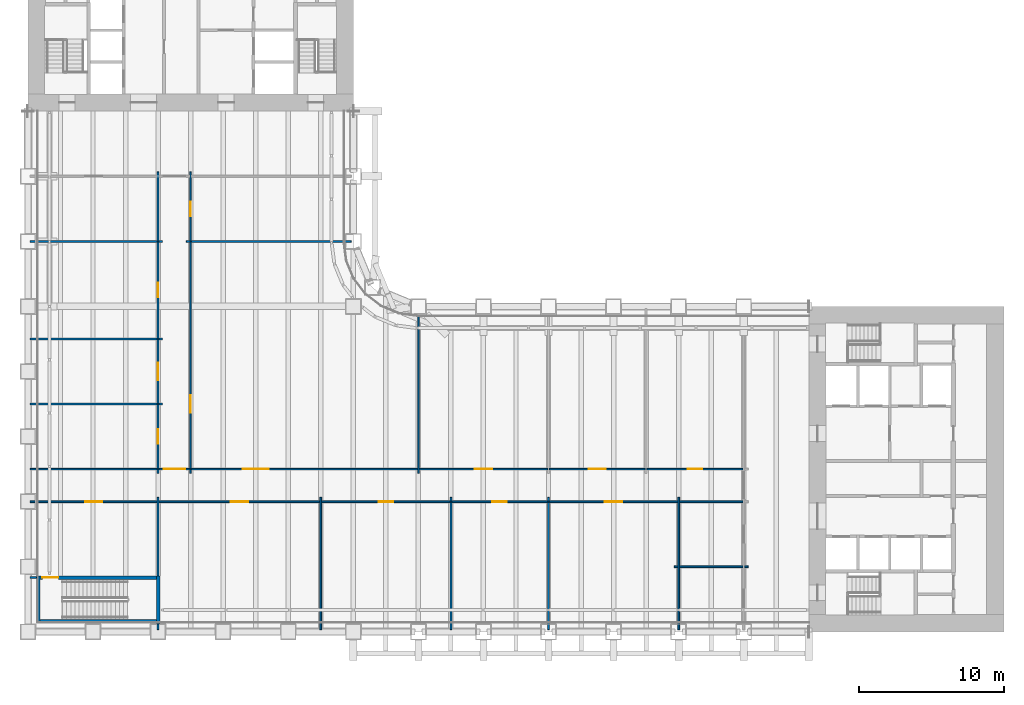
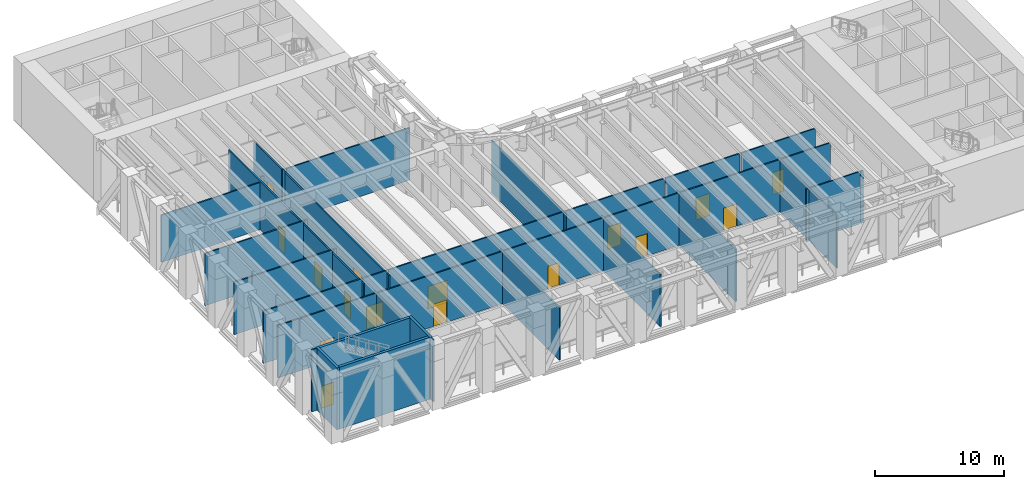
# One storey, part 7 of 19: 37 walls, 16 doors, 16 openings.
"""IFC4 building model written with IfcOpenShell, lengths in metres."""

import ifcopenshell
import ifcopenshell.guid

model = None  # the IFC model being written
_history = None  # IfcOwnerHistory: only IFC2X3 demands one
_inside = {}  # id of a spatial element -> (the spatial element, [elements in it])
_under = {}  # id of a project, library or spatial element -> (it, [spatial elements below it])
_declared = {}  # id of a project -> (the project, [libraries it declares])
_typed = {}  # id of a type object -> (the type object, [elements of that type])
_made_of = {}  # id of a material, layer set ... -> (it, [elements and type objects made of it])


def new_model(schema):
    """Start an empty IFC model of exactly this schema.

    Asked for "IFC4X3", IfcOpenShell would pick the latest addendum, in which some entities
    have other attributes; the version numbers below select the first issue.
    IFC2X3 requires an IfcOwnerHistory on every rooted entity: one is made here for all.
    """
    global model, _history
    if schema == "IFC4X3":
        model = ifcopenshell.file(schema_version=(4, 3, 0, 0))
    else:
        model = ifcopenshell.file(schema=schema)
    _inside.clear()
    _under.clear()
    _declared.clear()
    _typed.clear()
    _made_of.clear()
    _history = None
    if model.schema == "IFC2X3":
        org = make("IfcOrganization", Name="unknown")
        user = make(
            "IfcPersonAndOrganization",
            ThePerson=make("IfcPerson", FamilyName="unknown"),
            TheOrganization=org,
        )
        app = make(
            "IfcApplication",
            ApplicationDeveloper=org,
            Version="unknown",
            ApplicationFullName="unknown",
            ApplicationIdentifier="unknown",
        )
        _history = make(
            "IfcOwnerHistory",
            OwningUser=user,
            OwningApplication=app,
            ChangeAction="ADDED",
            CreationDate=0,
        )
    return model


def make(cls, **values):
    """One entity of the class cls with the attributes given. An attribute that is None is left unset."""
    return model.create_entity(
        cls, **{name: value for name, value in values.items() if value is not None}
    )


def rooted(cls, **values):
    """An entity with a GlobalId (a new one), such as an element, a storey or a relation."""
    return make(cls, GlobalId=ifcopenshell.guid.new(), OwnerHistory=_history, **values)


def si_unit(unit_type, name, prefix=None):
    """IfcSIUnit, for example si_unit("LENGTHUNIT", "METRE", prefix="MILLI")."""
    return make("IfcSIUnit", UnitType=unit_type, Prefix=prefix, Name=name)


def assignment(units):
    """IfcUnitAssignment: the units of a project."""
    return None if units is None else make("IfcUnitAssignment", Units=units)


def point(xyz):
    """IfcCartesianPoint."""
    return None if xyz is None else make("IfcCartesianPoint", Coordinates=xyz)


def direction(xyz):
    """IfcDirection."""
    return None if xyz is None else make("IfcDirection", DirectionRatios=xyz)


def frame(location, z_axis=None, x_axis=None):
    """IfcAxis2Placement3D, a coordinate frame: its origin and axes. An axis left out is left unset."""
    return make(
        "IfcAxis2Placement3D",
        Location=point(location),
        Axis=direction(z_axis),
        RefDirection=direction(x_axis),
    )


def frame_2d(location, x_axis=None):
    """IfcAxis2Placement2D, a coordinate frame in the plane: its origin and x axis."""
    return make(
        "IfcAxis2Placement2D", Location=point(location), RefDirection=direction(x_axis)
    )


def origin():
    """The frame at (0, 0, 0) with its axes left unset."""
    return frame((0.0, 0.0, 0.0))


def place(relative_to, where):
    """IfcLocalPlacement: puts the frame where relative to a parent placement (None: the world)."""
    return make(
        "IfcLocalPlacement", PlacementRelTo=relative_to, RelativePlacement=where
    )


def context(
    kind, dimensions, precision=None, world=None, true_north=None, identifier=None
):
    """IfcGeometricRepresentationContext, for example the 3D "Model" context."""
    return make(
        "IfcGeometricRepresentationContext",
        ContextIdentifier=identifier,
        ContextType=kind,
        CoordinateSpaceDimension=dimensions,
        Precision=precision,
        WorldCoordinateSystem=world,
        TrueNorth=true_north,
    )


def subcontext(parent, identifier, kind, view, scale=None):
    """IfcGeometricRepresentationSubContext, for example "Body" below "Model"."""
    return make(
        "IfcGeometricRepresentationSubContext",
        ContextIdentifier=identifier,
        ContextType=kind,
        ParentContext=parent,
        TargetScale=scale,
        TargetView=view,
    )


def project(units=None, contexts=None):
    """IfcProject with its units and contexts."""
    return rooted(
        "IfcProject",
        Name="project",
        RepresentationContexts=contexts,
        UnitsInContext=assignment(units),
    )


def spatial(cls, under=None, at=None, **own):
    """A site, building, storey or space (cls), placed at a placement, below another one or the project."""
    s = rooted(cls, ObjectPlacement=at, **own)
    if under is not None:
        _under.setdefault(under.id(), (under, []))[1].append(s)
    return s


def profile(cls, at=None, kind="AREA", **sizes):
    """A parametric profile (cls). Its sizes go by their IFC names, for example OverallWidth=200.0."""
    return make(cls, ProfileType=kind, Position=at, **sizes)


def rectangle(**sizes):
    """IfcRectangleProfileDef."""
    return profile("IfcRectangleProfileDef", **sizes)


def extrude(swept, where, along, depth):
    """IfcExtrudedAreaSolid: the profile swept, set in the frame where, extruded along a direction by depth."""
    return make(
        "IfcExtrudedAreaSolid",
        SweptArea=swept,
        Position=where,
        ExtrudedDirection=direction(along),
        Depth=depth,
    )


def shape(context_of_items, identifier, shape_type, items):
    """IfcShapeRepresentation: the items that make up one representation, for example the "Body"."""
    return make(
        "IfcShapeRepresentation",
        ContextOfItems=context_of_items,
        RepresentationIdentifier=identifier,
        RepresentationType=shape_type,
        Items=items,
    )


def material(Name=None, Category=None):
    """IfcMaterial."""
    return make("IfcMaterial", Name=Name, Category=Category)


def layer(
    of_material, thickness, ventilated=None, Name=None, Category=None, Priority=None
):
    """IfcMaterialLayer: one layer of a wall or slab, of a material (None: an air gap)."""
    return make(
        "IfcMaterialLayer",
        Material=of_material,
        LayerThickness=thickness,
        IsVentilated=ventilated,
        Name=Name,
        Category=Category,
        Priority=Priority,
    )


def layer_set(layers, Name=None):
    """IfcMaterialLayerSet."""
    return make("IfcMaterialLayerSet", MaterialLayers=layers, LayerSetName=Name)


def made_of(thing, what):
    """Note that an element or type object is made of a material, layer set ...; save() writes the relation."""
    if what is not None:
        _made_of.setdefault(what.id(), (what, []))[1].append(thing)
    return thing


def type_object(cls, material=None, **own):
    """A type object (cls), such as IfcWallType, which elements share."""
    return made_of(rooted(cls, **own), material)


def element(
    cls,
    number,
    at=None,
    inside=None,
    cuts=None,
    type_object=None,
    material=None,
    context=None,
    identifier="Body",
    shape_type=None,
    held_by="IfcProductDefinitionShape",
    body=None,
    shapes=None,
    **own,
):
    """One element of the class cls, such as IfcWall. Its Tag is "e" and its number.

    at: its placement. inside: the storey or other place that contains it. cuts: it is an
    opening in that element (IfcRelVoidsElement). A single representation is given by context,
    identifier, shape_type and body (its items); several are given by shapes. held_by: the class
    of the entity that holds the representations. save() writes the other relations.
    """
    e = rooted(cls, Tag="e%d" % number, ObjectPlacement=at, **own)
    if body is not None:
        shapes = [shape(context, identifier, shape_type, body)]
    if shapes is not None:
        e.Representation = make(held_by, Representations=shapes)
    if inside is not None:
        _inside.setdefault(inside.id(), (inside, []))[1].append(e)
    if cuts is not None:
        rooted(
            "IfcRelVoidsElement", RelatingBuildingElement=cuts, RelatedOpeningElement=e
        )
    if type_object is not None:
        _typed.setdefault(type_object.id(), (type_object, []))[1].append(e)
    return made_of(e, material)


def fill(opening, filler):
    """IfcRelFillsElement: the door or window that sits in an opening."""
    return rooted(
        "IfcRelFillsElement",
        RelatingOpeningElement=opening,
        RelatedBuildingElement=filler,
    )


def aggregate(whole, parts):
    """IfcRelAggregates: a whole, such as a stair, and the parts it consists of."""
    return rooted("IfcRelAggregates", RelatingObject=whole, RelatedObjects=parts)


def save(model, path):
    """Write the relations noted so far, then the file.

    IfcRelAggregates (storeys below a building ...), IfcRelContainedInSpatialStructure (elements
    in a storey), IfcRelDefinesByType, IfcRelAssociatesMaterial and IfcRelDeclares: one each for
    every whole, place, type object, material and project.
    """
    for whole, parts in _under.values():
        aggregate(whole, parts)
    for where, things in _inside.values():
        rooted(
            "IfcRelContainedInSpatialStructure",
            RelatedElements=things,
            RelatingStructure=where,
        )
    for kind, things in _typed.values():
        rooted("IfcRelDefinesByType", RelatedObjects=things, RelatingType=kind)
    for what, things in _made_of.values():
        rooted("IfcRelAssociatesMaterial", RelatedObjects=things, RelatingMaterial=what)
    for by, libraries in _declared.values():
        rooted("IfcRelDeclares", RelatingContext=by, RelatedDefinitions=libraries)
    model.write(path)


model = new_model("IFC4")

# Units and contexts
model_context = context("Model", 3, precision=1e-05, world=origin(), true_north=direction((0.0, 1.0)))
body_context = subcontext(model_context, "Body", "Model", "MODEL_VIEW")
ifc_project = project(units=[si_unit("LENGTHUNIT", "METRE"), si_unit("AREAUNIT", "SQUARE_METRE"), si_unit("VOLUMEUNIT", "CUBIC_METRE"), si_unit("PLANEANGLEUNIT", "RADIAN"), si_unit("MASSUNIT", "GRAM", prefix="KILO")], contexts=[model_context])

# Site, building, storey
site_placement = place(None, origin())
site = spatial("IfcSite", under=ifc_project, at=site_placement, CompositionType="ELEMENT")
building_placement = place(site_placement, origin())
building = spatial("IfcBuilding", under=site, at=building_placement, Name="Sennacour Bend Tower", CompositionType="ELEMENT")
storey_placement = place(building_placement, frame((0.0, 0.0, 77.0)))
storey = spatial("IfcBuildingStorey", under=building, at=storey_placement, Name="L17", CompositionType="ELEMENT", Elevation=77.0)

# Walls
ifc_material_1 = material(Name="Plasterboard partition on steel studs", Category="steel")
ifc_layer_1 = layer(ifc_material_1, 0.1201171875, Name="Plasterboard partition on steel studs", Category="steel")
ifc_layer_set_1 = layer_set([ifc_layer_1], Name="Plasterboard partition on steel studs")
wall_type_1 = type_object("IfcWallType", Name="Partition 120", PredefinedType="PARTITIONING", material=ifc_layer_set_1)
wall_1_placement = place(storey_placement, frame((9.0, 0.14990234375, 0.0), z_axis=(0.0, 0.0, 1.0), x_axis=(0.0, 1.0, 0.0)))
element("IfcWall", 1, at=wall_1_placement, inside=storey, type_object=wall_type_1, Name="P-L17-W007a", PredefinedType="PARTITIONING", context=body_context, shape_type="SweptSolid", body=[
    extrude(rectangle(XDim=0.400146484375, YDim=0.1201171875, at=frame_2d((0.2001953125, 0.0))), origin(), (0.0, 0.0, 1.0), 5.85009765625),
])
wall_2_placement = place(storey_placement, frame((9.0, 3.875, 0.0), z_axis=(0.0, 0.0, 1.0), x_axis=(0.0, 1.0, 0.0)))
element("IfcWall", 2, at=wall_2_placement, inside=storey, type_object=wall_type_1, Name="P-L17-W009a", PredefinedType="PARTITIONING", context=body_context, shape_type="SweptSolid", body=[
    extrude(rectangle(XDim=5.425048828125, YDim=0.1201171875, at=frame_2d((2.71240234375, 0.0))), origin(), (0.0, 0.0, 1.0), 4.93798828125),
])
wall_3_placement = place(storey_placement, frame((20.25, 0.14990234375, 0.0), z_axis=(0.0, 0.0, 1.0), x_axis=(0.0, 1.0, 0.0)))
element("IfcWall", 3, at=wall_3_placement, inside=storey, type_object=wall_type_1, Name="P-L17-W021a", PredefinedType="PARTITIONING", context=body_context, shape_type="SweptSolid", body=[
    extrude(rectangle(XDim=9.150146484375, YDim=0.1201171875, at=frame_2d((4.5751953125, 0.0))), origin(), (0.0, 0.0, 1.0), 4.93798828125),
])
wall_4_placement = place(storey_placement, frame((27.0, 10.949951171875, 0.0), z_axis=(0.0, 0.0, 1.0), x_axis=(0.0, 1.0, 0.0)))
element("IfcWall", 4, at=wall_4_placement, inside=storey, type_object=wall_type_1, Name="P-L17-W023a", PredefinedType="PARTITIONING", context=body_context, shape_type="SweptSolid", body=[
    extrude(rectangle(XDim=11.400146484375, YDim=0.1201171875, at=frame_2d((5.7001953125, 0.0))), origin(), (0.0, 0.0, 1.0), 4.93798828125),
])
for number, where, z_axis, x_axis, name in (
    (5, (29.25, 0.14990234375, 0.0), (0.0, 0.0, 1.0), (0.0, 1.0, 0.0), "P-L17-W024a"),
    (6, (36.0, 0.14990234375, 0.0), (0.0, 0.0, 1.0), (0.0, 1.0, 0.0), "P-L17-W025a"),
    (7, (45.0, 0.14990234375, 0.0), (0.0, 0.0, 1.0), (0.0, 1.0, 0.0), "P-L17-W028a"),
):
    element("IfcWall", number, at=place(storey_placement, frame(where, z_axis=z_axis, x_axis=x_axis)), inside=storey, type_object=wall_type_1, Name=name, PredefinedType="PARTITIONING", context=body_context, shape_type="SweptSolid", body=[
        extrude(rectangle(XDim=9.150146484375, YDim=0.1201171875, at=frame_2d((4.5751953125, 0.0))), origin(), (0.0, 0.0, 1.0), 4.93798828125),
    ])
wall_5_placement = place(storey_placement, frame((0.14990234375, 3.75, 0.0), z_axis=(0.0, 0.0, 1.0), x_axis=(1.0, 0.0, 0.0)))
element("IfcWall", 8, at=wall_5_placement, inside=storey, type_object=wall_type_1, Name="P-L17-W046a", PredefinedType="PARTITIONING", context=body_context, shape_type="SweptSolid", body=[
    extrude(rectangle(XDim=0.4501953125, YDim=0.1201171875, at=frame_2d((0.22509765625, 0.0))), origin(), (0.0, 0.0, 1.0), 5.85009765625),
])
wall_6_placement = place(storey_placement, frame((44.699951171875, 4.5, 0.0), z_axis=(0.0, 0.0, 1.0), x_axis=(1.0, 0.0, 0.0)))
element("IfcWall", 9, at=wall_6_placement, inside=storey, type_object=wall_type_1, Name="P-L17-W050aa", PredefinedType="PARTITIONING", context=body_context, shape_type="SweptSolid", body=[
    extrude(rectangle(XDim=0.239990234375, YDim=0.1201171875, at=frame_2d((0.1201171875, 0.0))), origin(), (0.0, 0.0, 1.0), 4.93798828125),
])
wall_7_placement = place(storey_placement, frame((45.06005859375, 4.5, 0.0), z_axis=(0.0, 0.0, 1.0), x_axis=(1.0, 0.0, 0.0)))
element("IfcWall", 10, at=wall_7_placement, inside=storey, type_object=wall_type_1, Name="P-L17-W050ab", PredefinedType="PARTITIONING", context=body_context, shape_type="SweptSolid", body=[
    extrude(rectangle(XDim=4.3798828125, YDim=0.1201171875, at=frame_2d((2.18994140625, 0.0))), origin(), (0.0, 0.0, 1.0), 4.93798828125),
])
wall_8_placement = place(storey_placement, frame((49.56005859375, 4.5, 0.0), z_axis=(0.0, 0.0, 1.0), x_axis=(1.0, 0.0, 0.0)))
element("IfcWall", 11, at=wall_8_placement, inside=storey, type_object=wall_type_1, Name="P-L17-W050ac", PredefinedType="PARTITIONING", context=body_context, shape_type="SweptSolid", body=[
    extrude(rectangle(XDim=0.239990234375, YDim=0.1201171875, at=frame_2d((0.1201171875, 0.0))), origin(), (0.0, 0.0, 1.0), 4.93798828125),
])
wall_9_placement = place(storey_placement, frame((45.06005859375, 9.0, 0.0), z_axis=(0.0, 0.0, 1.0), x_axis=(1.0, 0.0, 0.0)))
element("IfcWall", 12, at=wall_9_placement, inside=storey, type_object=wall_type_1, Name="P-L17-W052af", PredefinedType="PARTITIONING", context=body_context, shape_type="SweptSolid", body=[
    extrude(rectangle(XDim=4.3798828125, YDim=0.1201171875, at=frame_2d((2.18994140625, 0.0))), origin(), (0.0, 0.0, 1.0), 4.93798828125),
])
for number, where, z_axis, x_axis, name in (
    (13, (0.14990234375, 11.25, 0.0), (0.0, 0.0, 1.0), (1.0, 0.0, 0.0), "P-L17-W054aa"),
    (14, (0.14990234375, 15.75, 0.0), (0.0, 0.0, 1.0), (1.0, 0.0, 0.0), "P-L17-W059aa"),
):
    element("IfcWall", number, at=place(storey_placement, frame(where, z_axis=z_axis, x_axis=x_axis)), inside=storey, type_object=wall_type_1, Name=name, PredefinedType="PARTITIONING", context=body_context, shape_type="SweptSolid", body=[
        extrude(rectangle(XDim=8.7900390625, YDim=0.1201171875, at=frame_2d((4.39501953125, 0.0))), origin(), (0.0, 0.0, 1.0), 4.93798828125),
    ])
wall_10_placement = place(storey_placement, frame((9.06005859375, 15.75, 0.0), z_axis=(0.0, 0.0, 1.0), x_axis=(1.0, 0.0, 0.0)))
element("IfcWall", 15, at=wall_10_placement, inside=storey, type_object=wall_type_1, Name="P-L17-W059ab", PredefinedType="PARTITIONING", context=body_context, shape_type="SweptSolid", body=[
    extrude(rectangle(XDim=0.239990234375, YDim=0.1201171875, at=frame_2d((0.1201171875, 0.0))), origin(), (0.0, 0.0, 1.0), 4.93798828125),
])
wall_11_placement = place(storey_placement, frame((0.14990234375, 20.25, 0.0), z_axis=(0.0, 0.0, 1.0), x_axis=(1.0, 0.0, 0.0)))
element("IfcWall", 16, at=wall_11_placement, inside=storey, type_object=wall_type_1, Name="P-L17-W064aa", PredefinedType="PARTITIONING", context=body_context, shape_type="SweptSolid", body=[
    extrude(rectangle(XDim=8.7900390625, YDim=0.1201171875, at=frame_2d((4.39501953125, 0.0))), origin(), (0.0, 0.0, 1.0), 4.93798828125),
])
wall_12_placement = place(storey_placement, frame((9.06005859375, 20.25, 0.0), z_axis=(0.0, 0.0, 1.0), x_axis=(1.0, 0.0, 0.0)))
element("IfcWall", 17, at=wall_12_placement, inside=storey, type_object=wall_type_1, Name="P-L17-W064ab", PredefinedType="PARTITIONING", context=body_context, shape_type="SweptSolid", body=[
    extrude(rectangle(XDim=0.239990234375, YDim=0.1201171875, at=frame_2d((0.1201171875, 0.0))), origin(), (0.0, 0.0, 1.0), 4.93798828125),
])
wall_13_placement = place(storey_placement, frame((0.14990234375, 27.0, 0.0), z_axis=(0.0, 0.0, 1.0), x_axis=(1.0, 0.0, 0.0)))
element("IfcWall", 18, at=wall_13_placement, inside=storey, type_object=wall_type_1, Name="P-L17-W066aa", PredefinedType="PARTITIONING", context=body_context, shape_type="SweptSolid", body=[
    extrude(rectangle(XDim=8.7900390625, YDim=0.1201171875, at=frame_2d((4.39501953125, 0.0))), origin(), (0.0, 0.0, 1.0), 4.449951171875),
])
for number, where, z_axis, x_axis, name in (
    (19, (9.06005859375, 27.0, 0.0), (0.0, 0.0, 1.0), (1.0, 0.0, 0.0), "P-L17-W066ab"),
    (20, (10.949951171875, 27.0, 0.0), (0.0, 0.0, 1.0), (1.0, 0.0, 0.0), "P-L17-W067aa"),
):
    element("IfcWall", number, at=place(storey_placement, frame(where, z_axis=z_axis, x_axis=x_axis)), inside=storey, type_object=wall_type_1, Name=name, PredefinedType="PARTITIONING", context=body_context, shape_type="SweptSolid", body=[
        extrude(rectangle(XDim=0.239990234375, YDim=0.1201171875, at=frame_2d((0.1201171875, 0.0))), origin(), (0.0, 0.0, 1.0), 4.93798828125),
    ])
wall_14_placement = place(storey_placement, frame((11.31005859375, 27.0, 0.0), z_axis=(0.0, 0.0, 1.0), x_axis=(1.0, 0.0, 0.0)))
element("IfcWall", 21, at=wall_14_placement, inside=storey, type_object=wall_type_1, Name="P-L17-W067ab", PredefinedType="PARTITIONING", context=body_context, shape_type="SweptSolid", body=[
    extrude(rectangle(XDim=11.0400390625, YDim=0.1201171875, at=frame_2d((5.52001953125, 0.0))), origin(), (0.0, 0.0, 1.0), 4.93798828125),
])

# Wall, opening, door
ifc_layer_2 = layer(ifc_material_1, 0.1201171875, Name="Plasterboard partition on steel studs", Category="steel")
ifc_layer_set_2 = layer_set([ifc_layer_2], Name="Plasterboard partition on steel studs")
wall_type_2 = type_object("IfcWallType", Name="Partition 120 EI 30", PredefinedType="PARTITIONING", material=ifc_layer_set_2)
wall_15_placement = place(storey_placement, frame((0.14990234375, 9.0, 0.0), z_axis=(0.0, 0.0, 1.0), x_axis=(1.0, 0.0, 0.0)))
wall_15 = element("IfcWall", 22, at=wall_15_placement, inside=storey, type_object=wall_type_2, Name="P-L17-W052aa", PredefinedType="PARTITIONING", context=body_context, shape_type="SweptSolid", body=[
    extrude(rectangle(XDim=8.7900390625, YDim=0.1201171875, at=frame_2d((4.39501953125, 0.0))), origin(), (0.0, 0.0, 1.0), 4.93798828125),
])
opening_1_placement = place(wall_15_placement, frame((3.80517578125, 0.0, 0.0)))
opening_1 = element("IfcOpeningElement", 23, at=opening_1_placement, cuts=wall_15, Name="Opening KD2", PredefinedType="OPENING", context=body_context, shape_type="SweptSolid", body=[
    extrude(rectangle(XDim=1.199951171875, YDim=2.10009765625, at=frame_2d((0.60009765625, 1.050048828125))), frame((0.0, 0.070068359375, 0.0), z_axis=(0.0, -1.0, 0.0), x_axis=(1.0, 0.0, 0.0)), (0.0, 0.0, 1.0), 0.14013671875),
])
ifc_material_2 = material(Name="Painted steel", Category="steel")
door_type_1 = type_object("IfcDoorType", Name="DR-CORRIDOR-1200", OperationType="NOTDEFINED", PredefinedType="DOOR", material=ifc_material_2)
door_1_placement = place(opening_1_placement, origin())
door_1 = element("IfcDoor", 24, at=door_1_placement, inside=storey, type_object=door_type_1, Name="Door", OperationType="SINGLE_SWING_LEFT", OverallHeight=2.10009765625, OverallWidth=1.199951171875, PredefinedType="DOOR", context=body_context, shape_type="SweptSolid", body=[
    extrude(rectangle(XDim=1.199951171875, YDim=2.10009765625, at=frame_2d((0.60009765625, 1.050048828125))), frame((0.0, 0.02490234375, 0.0), z_axis=(0.0, -1.0, 0.0), x_axis=(1.0, 0.0, 0.0)), (0.0, 0.0, 1.0), 0.050048828125),
])
fill(opening_1, door_1)

wall_16_placement = place(storey_placement, frame((9.06005859375, 11.25, 0.0), z_axis=(0.0, 0.0, 1.0), x_axis=(1.0, 0.0, 0.0)))
wall_16 = element("IfcWall", 25, at=wall_16_placement, inside=storey, type_object=wall_type_2, Name="P-L17-W054ab", PredefinedType="PARTITIONING", context=body_context, shape_type="SweptSolid", body=[
    extrude(rectangle(XDim=2.1298828125, YDim=0.1201171875, at=frame_2d((1.06494140625, 0.0))), origin(), (0.0, 0.0, 1.0), 4.93798828125),
])
opening_2_placement = place(wall_16_placement, frame((0.31494140625, 0.0, 0.0)))
opening_2 = element("IfcOpeningElement", 26, at=opening_2_placement, cuts=wall_16, Name="Opening KD", PredefinedType="OPENING", context=body_context, shape_type="SweptSolid", body=[
    extrude(rectangle(XDim=1.5, YDim=2.10009765625, at=frame_2d((0.75, 1.050048828125))), frame((0.0, 0.070068359375, 0.0), z_axis=(0.0, -1.0, 0.0), x_axis=(1.0, 0.0, 0.0)), (0.0, 0.0, 1.0), 0.14013671875),
])
door_type_2 = type_object("IfcDoorType", Name="DR-CORRIDOR-1500", OperationType="NOTDEFINED", PredefinedType="DOOR", material=ifc_material_2)
door_2_placement = place(opening_2_placement, origin())
door_2 = element("IfcDoor", 27, at=door_2_placement, inside=storey, type_object=door_type_2, Name="Door", OperationType="SINGLE_SWING_LEFT", OverallHeight=2.10009765625, OverallWidth=1.5, PredefinedType="DOOR", context=body_context, shape_type="SweptSolid", body=[
    extrude(rectangle(XDim=1.5, YDim=2.10009765625, at=frame_2d((0.75, 1.050048828125))), frame((0.0, 0.02490234375, 0.0), z_axis=(0.0, -1.0, 0.0), x_axis=(1.0, 0.0, 0.0)), (0.0, 0.0, 1.0), 0.050048828125),
])
fill(opening_2, door_2)

# Wall, openings, doors
ifc_layer_3 = layer(ifc_material_1, 0.1201171875, Name="Plasterboard partition on steel studs", Category="steel")
ifc_layer_set_3 = layer_set([ifc_layer_3], Name="Plasterboard partition on steel studs")
wall_type_3 = type_object("IfcWallType", Name="Partition 120 EI 60", PredefinedType="PARTITIONING", material=ifc_layer_set_3)
wall_17_placement = place(storey_placement, frame((9.0, 10.949951171875, 0.0), z_axis=(0.0, 0.0, 1.0), x_axis=(0.0, 1.0, 0.0)))
wall_17 = element("IfcWall", 28, at=wall_17_placement, inside=storey, type_object=wall_type_3, Name="P-L17-W010a", PredefinedType="PARTITIONING", context=body_context, shape_type="SweptSolid", body=[
    extrude(rectangle(XDim=20.85009765625, YDim=0.1201171875, at=frame_2d((10.425048828125, 0.0))), origin(), (0.0, 0.0, 1.0), 4.60009765625),
])
opening_3_placement = place(wall_17_placement, frame((2.050048828125, 0.0, 0.0)))
opening_3 = element("IfcOpeningElement", 29, at=opening_3_placement, cuts=wall_17, Name="Opening PD2", PredefinedType="OPENING", context=body_context, shape_type="SweptSolid", body=[
    extrude(rectangle(XDim=1.0, YDim=2.10009765625, at=frame_2d((0.5, 1.050048828125))), frame((0.0, 0.070068359375, 0.0), z_axis=(0.0, -1.0, 0.0), x_axis=(1.0, 0.0, 0.0)), (0.0, 0.0, 1.0), 0.14013671875),
])
opening_4_placement = place(wall_17_placement, frame((6.449951171875, 0.0, 0.0)))
opening_4 = element("IfcOpeningElement", 30, at=opening_4_placement, cuts=wall_17, Name="Opening PD", PredefinedType="OPENING", context=body_context, shape_type="SweptSolid", body=[
    extrude(rectangle(XDim=1.199951171875, YDim=2.10009765625, at=frame_2d((0.60009765625, 1.050048828125))), frame((0.0, 0.070068359375, 0.0), z_axis=(0.0, -1.0, 0.0), x_axis=(1.0, 0.0, 0.0)), (0.0, 0.0, 1.0), 0.14013671875),
])
opening_5_placement = place(wall_17_placement, frame((12.175048828125, 0.0, 0.0)))
opening_5 = element("IfcOpeningElement", 31, at=opening_5_placement, cuts=wall_17, Name="Opening PD2", PredefinedType="OPENING", context=body_context, shape_type="SweptSolid", body=[
    extrude(rectangle(XDim=1.0, YDim=2.10009765625, at=frame_2d((0.5, 1.050048828125))), frame((0.0, 0.070068359375, 0.0), z_axis=(0.0, -1.0, 0.0), x_axis=(1.0, 0.0, 0.0)), (0.0, 0.0, 1.0), 0.14013671875),
])
door_type_3 = type_object("IfcDoorType", Name="DR-PLANT-1000", OperationType="NOTDEFINED", PredefinedType="DOOR", material=ifc_material_2)
door_3_placement = place(opening_3_placement, origin())
door_3 = element("IfcDoor", 32, at=door_3_placement, inside=storey, type_object=door_type_3, Name="Door", OperationType="SINGLE_SWING_LEFT", OverallHeight=2.10009765625, OverallWidth=1.0, PredefinedType="DOOR", context=body_context, shape_type="SweptSolid", body=[
    extrude(rectangle(XDim=1.0, YDim=2.10009765625, at=frame_2d((0.5, 1.050048828125))), frame((0.0, 0.02490234375, 0.0), z_axis=(0.0, -1.0, 0.0), x_axis=(1.0, 0.0, 0.0)), (0.0, 0.0, 1.0), 0.050048828125),
])
fill(opening_3, door_3)
door_4_placement = place(opening_5_placement, origin())
door_4 = element("IfcDoor", 33, at=door_4_placement, inside=storey, type_object=door_type_3, Name="Door", OperationType="SINGLE_SWING_RIGHT", OverallHeight=2.10009765625, OverallWidth=1.0, PredefinedType="DOOR", context=body_context, shape_type="SweptSolid", body=[
    extrude(rectangle(XDim=1.0, YDim=2.10009765625, at=frame_2d((0.5, 1.050048828125))), frame((0.0, 0.02490234375, 0.0), z_axis=(0.0, -1.0, 0.0), x_axis=(1.0, 0.0, 0.0)), (0.0, 0.0, 1.0), 0.050048828125),
])
fill(opening_5, door_4)
door_type_4 = type_object("IfcDoorType", Name="DR-PLANT-1200", OperationType="NOTDEFINED", PredefinedType="DOOR", material=ifc_material_2)
door_5_placement = place(opening_4_placement, origin())
door_5 = element("IfcDoor", 34, at=door_5_placement, inside=storey, type_object=door_type_4, Name="Door", OperationType="SINGLE_SWING_LEFT", OverallHeight=2.10009765625, OverallWidth=1.199951171875, PredefinedType="DOOR", context=body_context, shape_type="SweptSolid", body=[
    extrude(rectangle(XDim=1.199951171875, YDim=2.10009765625, at=frame_2d((0.60009765625, 1.050048828125))), frame((0.0, 0.02490234375, 0.0), z_axis=(0.0, -1.0, 0.0), x_axis=(1.0, 0.0, 0.0)), (0.0, 0.0, 1.0), 0.050048828125),
])
fill(opening_4, door_5)

wall_18_placement = place(storey_placement, frame((11.25, 10.949951171875, 0.0), z_axis=(0.0, 0.0, 1.0), x_axis=(0.0, 1.0, 0.0)))
wall_18 = element("IfcWall", 35, at=wall_18_placement, inside=storey, type_object=wall_type_3, Name="P-L17-W012a", PredefinedType="PARTITIONING", context=body_context, shape_type="SweptSolid", body=[
    extrude(rectangle(XDim=20.85009765625, YDim=0.1201171875, at=frame_2d((10.425048828125, 0.0))), origin(), (0.0, 0.0, 1.0), 4.60009765625),
])
opening_6_placement = place(wall_18_placement, frame((17.800048828125, 0.0, 0.0)))
opening_6 = element("IfcOpeningElement", 36, at=opening_6_placement, cuts=wall_18, Name="Opening PD2", PredefinedType="OPENING", context=body_context, shape_type="SweptSolid", body=[
    extrude(rectangle(XDim=1.0, YDim=2.10009765625, at=frame_2d((0.5, 1.050048828125))), frame((0.0, 0.070068359375, 0.0), z_axis=(0.0, -1.0, 0.0), x_axis=(1.0, 0.0, 0.0)), (0.0, 0.0, 1.0), 0.14013671875),
])
opening_7_placement = place(wall_18_placement, frame((4.199951171875, 0.0, 0.0)))
opening_7 = element("IfcOpeningElement", 37, at=opening_7_placement, cuts=wall_18, Name="Opening PD", PredefinedType="OPENING", context=body_context, shape_type="SweptSolid", body=[
    extrude(rectangle(XDim=1.199951171875, YDim=2.10009765625, at=frame_2d((0.60009765625, 1.050048828125))), frame((0.0, 0.070068359375, 0.0), z_axis=(0.0, -1.0, 0.0), x_axis=(1.0, 0.0, 0.0)), (0.0, 0.0, 1.0), 0.14013671875),
])
door_6_placement = place(opening_6_placement, origin())
door_6 = element("IfcDoor", 38, at=door_6_placement, inside=storey, type_object=door_type_3, Name="Door", OperationType="SINGLE_SWING_RIGHT", OverallHeight=2.10009765625, OverallWidth=1.0, PredefinedType="DOOR", context=body_context, shape_type="SweptSolid", body=[
    extrude(rectangle(XDim=1.0, YDim=2.10009765625, at=frame_2d((0.5, 1.050048828125))), frame((0.0, 0.02490234375, 0.0), z_axis=(0.0, -1.0, 0.0), x_axis=(1.0, 0.0, 0.0)), (0.0, 0.0, 1.0), 0.050048828125),
])
fill(opening_6, door_6)
door_7_placement = place(opening_7_placement, origin())
door_7 = element("IfcDoor", 39, at=door_7_placement, inside=storey, type_object=door_type_4, Name="Door", OperationType="SINGLE_SWING_LEFT", OverallHeight=2.10009765625, OverallWidth=1.199951171875, PredefinedType="DOOR", context=body_context, shape_type="SweptSolid", body=[
    extrude(rectangle(XDim=1.199951171875, YDim=2.10009765625, at=frame_2d((0.60009765625, 1.050048828125))), frame((0.0, 0.02490234375, 0.0), z_axis=(0.0, -1.0, 0.0), x_axis=(1.0, 0.0, 0.0)), (0.0, 0.0, 1.0), 0.050048828125),
])
fill(opening_7, door_7)

# Wall, opening, door
wall_19_placement = place(storey_placement, frame((9.06005859375, 9.0, 0.0), z_axis=(0.0, 0.0, 1.0), x_axis=(1.0, 0.0, 0.0)))
wall_19 = element("IfcWall", 40, at=wall_19_placement, inside=storey, type_object=wall_type_3, Name="P-L17-W052ab", PredefinedType="PARTITIONING", context=body_context, shape_type="SweptSolid", body=[
    extrude(rectangle(XDim=11.1298828125, YDim=0.1201171875, at=frame_2d((5.56494140625, 0.0))), origin(), (0.0, 0.0, 1.0), 4.93798828125),
])
opening_8_placement = place(wall_19_placement, frame((4.96484375, 0.0, 0.0)))
opening_8 = element("IfcOpeningElement", 41, at=opening_8_placement, cuts=wall_19, Name="Opening PD", PredefinedType="OPENING", context=body_context, shape_type="SweptSolid", body=[
    extrude(rectangle(XDim=1.199951171875, YDim=2.10009765625, at=frame_2d((0.60009765625, 1.050048828125))), frame((0.0, 0.070068359375, 0.0), z_axis=(0.0, -1.0, 0.0), x_axis=(1.0, 0.0, 0.0)), (0.0, 0.0, 1.0), 0.14013671875),
])
door_8_placement = place(opening_8_placement, origin())
door_8 = element("IfcDoor", 42, at=door_8_placement, inside=storey, type_object=door_type_4, Name="Door", OperationType="SINGLE_SWING_LEFT", OverallHeight=2.10009765625, OverallWidth=1.199951171875, PredefinedType="DOOR", context=body_context, shape_type="SweptSolid", body=[
    extrude(rectangle(XDim=1.199951171875, YDim=2.10009765625, at=frame_2d((0.60009765625, 1.050048828125))), frame((0.0, 0.02490234375, 0.0), z_axis=(0.0, -1.0, 0.0), x_axis=(1.0, 0.0, 0.0)), (0.0, 0.0, 1.0), 0.050048828125),
])
fill(opening_8, door_8)

wall_20_placement = place(storey_placement, frame((20.31005859375, 9.0, 0.0), z_axis=(0.0, 0.0, 1.0), x_axis=(1.0, 0.0, 0.0)))
wall_20 = element("IfcWall", 43, at=wall_20_placement, inside=storey, type_object=wall_type_3, Name="P-L17-W052ac", PredefinedType="PARTITIONING", context=body_context, shape_type="SweptSolid", body=[
    extrude(rectangle(XDim=8.8798828125, YDim=0.1201171875, at=frame_2d((4.43994140625, 0.0))), origin(), (0.0, 0.0, 1.0), 4.93798828125),
])
opening_9_placement = place(wall_20_placement, frame((3.93994140625, 0.0, 0.0)))
opening_9 = element("IfcOpeningElement", 44, at=opening_9_placement, cuts=wall_20, Name="Opening PD2", PredefinedType="OPENING", context=body_context, shape_type="SweptSolid", body=[
    extrude(rectangle(XDim=1.0, YDim=2.10009765625, at=frame_2d((0.5, 1.050048828125))), frame((0.0, 0.070068359375, 0.0), z_axis=(0.0, -1.0, 0.0), x_axis=(1.0, 0.0, 0.0)), (0.0, 0.0, 1.0), 0.14013671875),
])
door_9_placement = place(opening_9_placement, origin())
door_9 = element("IfcDoor", 45, at=door_9_placement, inside=storey, type_object=door_type_3, Name="Door", OperationType="SINGLE_SWING_LEFT", OverallHeight=2.10009765625, OverallWidth=1.0, PredefinedType="DOOR", context=body_context, shape_type="SweptSolid", body=[
    extrude(rectangle(XDim=1.0, YDim=2.10009765625, at=frame_2d((0.5, 1.050048828125))), frame((0.0, 0.02490234375, 0.0), z_axis=(0.0, -1.0, 0.0), x_axis=(1.0, 0.0, 0.0)), (0.0, 0.0, 1.0), 0.050048828125),
])
fill(opening_9, door_9)

wall_21_placement = place(storey_placement, frame((29.31005859375, 9.0, 0.0), z_axis=(0.0, 0.0, 1.0), x_axis=(1.0, 0.0, 0.0)))
wall_21 = element("IfcWall", 46, at=wall_21_placement, inside=storey, type_object=wall_type_3, Name="P-L17-W052ad", PredefinedType="PARTITIONING", context=body_context, shape_type="SweptSolid", body=[
    extrude(rectangle(XDim=6.6298828125, YDim=0.1201171875, at=frame_2d((3.31494140625, 0.0))), origin(), (0.0, 0.0, 1.0), 4.93798828125),
])
opening_10_placement = place(wall_21_placement, frame((2.81494140625, 0.0, 0.0)))
opening_10 = element("IfcOpeningElement", 47, at=opening_10_placement, cuts=wall_21, Name="Opening PD2", PredefinedType="OPENING", context=body_context, shape_type="SweptSolid", body=[
    extrude(rectangle(XDim=1.0, YDim=2.10009765625, at=frame_2d((0.5, 1.050048828125))), frame((0.0, 0.070068359375, 0.0), z_axis=(0.0, -1.0, 0.0), x_axis=(1.0, 0.0, 0.0)), (0.0, 0.0, 1.0), 0.14013671875),
])
door_10_placement = place(opening_10_placement, origin())
door_10 = element("IfcDoor", 48, at=door_10_placement, inside=storey, type_object=door_type_3, Name="Door", OperationType="SINGLE_SWING_LEFT", OverallHeight=2.10009765625, OverallWidth=1.0, PredefinedType="DOOR", context=body_context, shape_type="SweptSolid", body=[
    extrude(rectangle(XDim=1.0, YDim=2.10009765625, at=frame_2d((0.5, 1.050048828125))), frame((0.0, 0.02490234375, 0.0), z_axis=(0.0, -1.0, 0.0), x_axis=(1.0, 0.0, 0.0)), (0.0, 0.0, 1.0), 0.050048828125),
])
fill(opening_10, door_10)

wall_22_placement = place(storey_placement, frame((36.06005859375, 9.0, 0.0), z_axis=(0.0, 0.0, 1.0), x_axis=(1.0, 0.0, 0.0)))
wall_22 = element("IfcWall", 49, at=wall_22_placement, inside=storey, type_object=wall_type_3, Name="P-L17-W052ae", PredefinedType="PARTITIONING", context=body_context, shape_type="SweptSolid", body=[
    extrude(rectangle(XDim=8.8798828125, YDim=0.1201171875, at=frame_2d((4.43994140625, 0.0))), origin(), (0.0, 0.0, 1.0), 4.93798828125),
])
opening_11_placement = place(wall_22_placement, frame((3.83984375, 0.0, 0.0)))
opening_11 = element("IfcOpeningElement", 50, at=opening_11_placement, cuts=wall_22, Name="Opening PD", PredefinedType="OPENING", context=body_context, shape_type="SweptSolid", body=[
    extrude(rectangle(XDim=1.199951171875, YDim=2.10009765625, at=frame_2d((0.60009765625, 1.050048828125))), frame((0.0, 0.070068359375, 0.0), z_axis=(0.0, -1.0, 0.0), x_axis=(1.0, 0.0, 0.0)), (0.0, 0.0, 1.0), 0.14013671875),
])
door_11_placement = place(opening_11_placement, origin())
door_11 = element("IfcDoor", 51, at=door_11_placement, inside=storey, type_object=door_type_4, Name="Door", OperationType="SINGLE_SWING_LEFT", OverallHeight=2.10009765625, OverallWidth=1.199951171875, PredefinedType="DOOR", context=body_context, shape_type="SweptSolid", body=[
    extrude(rectangle(XDim=1.199951171875, YDim=2.10009765625, at=frame_2d((0.60009765625, 1.050048828125))), frame((0.0, 0.02490234375, 0.0), z_axis=(0.0, -1.0, 0.0), x_axis=(1.0, 0.0, 0.0)), (0.0, 0.0, 1.0), 0.050048828125),
])
fill(opening_11, door_11)

wall_23_placement = place(storey_placement, frame((11.31005859375, 11.25, 0.0), z_axis=(0.0, 0.0, 1.0), x_axis=(1.0, 0.0, 0.0)))
wall_23 = element("IfcWall", 52, at=wall_23_placement, inside=storey, type_object=wall_type_3, Name="P-L17-W054ac", PredefinedType="PARTITIONING", context=body_context, shape_type="SweptSolid", body=[
    extrude(rectangle(XDim=15.6298828125, YDim=0.1201171875, at=frame_2d((7.81494140625, 0.0))), origin(), (0.0, 0.0, 1.0), 4.93798828125),
])
opening_12_placement = place(wall_23_placement, frame((3.539794921875, 0.0, 0.0)))
opening_12 = element("IfcOpeningElement", 53, at=opening_12_placement, cuts=wall_23, Name="Opening PD3", PredefinedType="OPENING", context=body_context, shape_type="SweptSolid", body=[
    extrude(rectangle(XDim=1.800048828125, YDim=2.10009765625, at=frame_2d((0.89990234375, 1.050048828125))), frame((0.0, 0.070068359375, 0.0), z_axis=(0.0, -1.0, 0.0), x_axis=(1.0, 0.0, 0.0)), (0.0, 0.0, 1.0), 0.14013671875),
])
door_type_5 = type_object("IfcDoorType", Name="DR-PLANT-1800", OperationType="NOTDEFINED", PredefinedType="DOOR", material=ifc_material_2)
door_12_placement = place(opening_12_placement, origin())
door_12 = element("IfcDoor", 54, at=door_12_placement, inside=storey, type_object=door_type_5, Name="Door", OperationType="DOUBLE_DOOR_SINGLE_SWING", OverallHeight=2.10009765625, OverallWidth=1.800048828125, PredefinedType="DOOR", context=body_context, shape_type="SweptSolid", body=[
    extrude(rectangle(XDim=1.800048828125, YDim=2.10009765625, at=frame_2d((0.89990234375, 1.050048828125))), frame((0.0, 0.02490234375, 0.0), z_axis=(0.0, -1.0, 0.0), x_axis=(1.0, 0.0, 0.0)), (0.0, 0.0, 1.0), 0.050048828125),
])
fill(opening_12, door_12)

wall_24_placement = place(storey_placement, frame((27.06005859375, 11.25, 0.0), z_axis=(0.0, 0.0, 1.0), x_axis=(1.0, 0.0, 0.0)))
wall_24 = element("IfcWall", 55, at=wall_24_placement, inside=storey, type_object=wall_type_3, Name="P-L17-W054ad", PredefinedType="PARTITIONING", context=body_context, shape_type="SweptSolid", body=[
    extrude(rectangle(XDim=8.8798828125, YDim=0.1201171875, at=frame_2d((4.43994140625, 0.0))), origin(), (0.0, 0.0, 1.0), 4.93798828125),
])
opening_13_placement = place(wall_24_placement, frame((3.83984375, 0.0, 0.0)))
opening_13 = element("IfcOpeningElement", 56, at=opening_13_placement, cuts=wall_24, Name="Opening PD", PredefinedType="OPENING", context=body_context, shape_type="SweptSolid", body=[
    extrude(rectangle(XDim=1.199951171875, YDim=2.10009765625, at=frame_2d((0.60009765625, 1.050048828125))), frame((0.0, 0.070068359375, 0.0), z_axis=(0.0, -1.0, 0.0), x_axis=(1.0, 0.0, 0.0)), (0.0, 0.0, 1.0), 0.14013671875),
])
door_13_placement = place(opening_13_placement, origin())
door_13 = element("IfcDoor", 57, at=door_13_placement, inside=storey, type_object=door_type_4, Name="Door", OperationType="SINGLE_SWING_LEFT", OverallHeight=2.10009765625, OverallWidth=1.199951171875, PredefinedType="DOOR", context=body_context, shape_type="SweptSolid", body=[
    extrude(rectangle(XDim=1.199951171875, YDim=2.10009765625, at=frame_2d((0.60009765625, 1.050048828125))), frame((0.0, 0.02490234375, 0.0), z_axis=(0.0, -1.0, 0.0), x_axis=(1.0, 0.0, 0.0)), (0.0, 0.0, 1.0), 0.050048828125),
])
fill(opening_13, door_13)

wall_25_placement = place(storey_placement, frame((36.06005859375, 11.25, 0.0), z_axis=(0.0, 0.0, 1.0), x_axis=(1.0, 0.0, 0.0)))
wall_25 = element("IfcWall", 58, at=wall_25_placement, inside=storey, type_object=wall_type_3, Name="P-L17-W054ae", PredefinedType="PARTITIONING", context=body_context, shape_type="SweptSolid", body=[
    extrude(rectangle(XDim=6.6298828125, YDim=0.1201171875, at=frame_2d((3.31494140625, 0.0))), origin(), (0.0, 0.0, 1.0), 4.93798828125),
])
opening_14_placement = place(wall_25_placement, frame((2.71484375, 0.0, 0.0)))
opening_14 = element("IfcOpeningElement", 59, at=opening_14_placement, cuts=wall_25, Name="Opening PD", PredefinedType="OPENING", context=body_context, shape_type="SweptSolid", body=[
    extrude(rectangle(XDim=1.199951171875, YDim=2.10009765625, at=frame_2d((0.60009765625, 1.050048828125))), frame((0.0, 0.070068359375, 0.0), z_axis=(0.0, -1.0, 0.0), x_axis=(1.0, 0.0, 0.0)), (0.0, 0.0, 1.0), 0.14013671875),
])
door_14_placement = place(opening_14_placement, origin())
door_14 = element("IfcDoor", 60, at=door_14_placement, inside=storey, type_object=door_type_4, Name="Door", OperationType="SINGLE_SWING_LEFT", OverallHeight=2.10009765625, OverallWidth=1.199951171875, PredefinedType="DOOR", context=body_context, shape_type="SweptSolid", body=[
    extrude(rectangle(XDim=1.199951171875, YDim=2.10009765625, at=frame_2d((0.60009765625, 1.050048828125))), frame((0.0, 0.02490234375, 0.0), z_axis=(0.0, -1.0, 0.0), x_axis=(1.0, 0.0, 0.0)), (0.0, 0.0, 1.0), 0.050048828125),
])
fill(opening_14, door_14)

wall_26_placement = place(storey_placement, frame((42.81005859375, 11.25, 0.0), z_axis=(0.0, 0.0, 1.0), x_axis=(1.0, 0.0, 0.0)))
wall_26 = element("IfcWall", 61, at=wall_26_placement, inside=storey, type_object=wall_type_3, Name="P-L17-W054af", PredefinedType="PARTITIONING", context=body_context, shape_type="SweptSolid", body=[
    extrude(rectangle(XDim=6.6298828125, YDim=0.1201171875, at=frame_2d((3.31494140625, 0.0))), origin(), (0.0, 0.0, 1.0), 4.93798828125),
])
opening_15_placement = place(wall_26_placement, frame((2.81494140625, 0.0, 0.0)))
opening_15 = element("IfcOpeningElement", 62, at=opening_15_placement, cuts=wall_26, Name="Opening PD2", PredefinedType="OPENING", context=body_context, shape_type="SweptSolid", body=[
    extrude(rectangle(XDim=1.0, YDim=2.10009765625, at=frame_2d((0.5, 1.050048828125))), frame((0.0, 0.070068359375, 0.0), z_axis=(0.0, -1.0, 0.0), x_axis=(1.0, 0.0, 0.0)), (0.0, 0.0, 1.0), 0.14013671875),
])
door_15_placement = place(opening_15_placement, origin())
door_15 = element("IfcDoor", 63, at=door_15_placement, inside=storey, type_object=door_type_3, Name="Door", OperationType="SINGLE_SWING_LEFT", OverallHeight=2.10009765625, OverallWidth=1.0, PredefinedType="DOOR", context=body_context, shape_type="SweptSolid", body=[
    extrude(rectangle(XDim=1.0, YDim=2.10009765625, at=frame_2d((0.5, 1.050048828125))), frame((0.0, 0.02490234375, 0.0), z_axis=(0.0, -1.0, 0.0), x_axis=(1.0, 0.0, 0.0)), (0.0, 0.0, 1.0), 0.050048828125),
])
fill(opening_15, door_15)

# Walls
ifc_material_3 = material(Name="Concrete C60/75", Category="concrete")
ifc_layer_4 = layer(ifc_material_3, 0.25, Name="Concrete C60/75", Category="concrete")
ifc_layer_set_4 = layer_set([ifc_layer_4], Name="Concrete C60/75")
wall_type_4 = type_object("IfcWallType", Name="Stair wall 250", PredefinedType="SHEAR", material=ifc_layer_set_4)
wall_27_placement = place(storey_placement, frame((0.72509765625, 0.60009765625, 0.0), z_axis=(0.0, 0.0, 1.0), x_axis=(0.0, 1.0, 0.0)))
element("IfcWall", 64, at=wall_27_placement, inside=storey, type_object=wall_type_4, Name="P-L17-W002", PredefinedType="SHEAR", context=body_context, shape_type="SweptSolid", body=[
    extrude(rectangle(XDim=3.27490234375, YDim=0.25, at=frame_2d((1.637451171875, 0.0))), origin(), (0.0, 0.0, 1.0), 5.85009765625),
])
wall_28_placement = place(storey_placement, frame((9.0, 0.550048828125, 0.0), z_axis=(0.0, 0.0, 1.0), x_axis=(0.0, 1.0, 0.0)))
element("IfcWall", 65, at=wall_28_placement, inside=storey, type_object=wall_type_4, Name="P-L17-W008", PredefinedType="SHEAR", context=body_context, shape_type="SweptSolid", body=[
    extrude(rectangle(XDim=3.324951171875, YDim=0.25, at=frame_2d((1.66259765625, 0.0))), origin(), (0.0, 0.0, 1.0), 5.85009765625),
])
wall_29_placement = place(storey_placement, frame((0.85009765625, 0.72509765625, 0.0), z_axis=(0.0, 0.0, 1.0), x_axis=(1.0, 0.0, 0.0)))
element("IfcWall", 66, at=wall_29_placement, inside=storey, type_object=wall_type_4, Name="P-L17-W044", PredefinedType="SHEAR", context=body_context, shape_type="SweptSolid", body=[
    extrude(rectangle(XDim=8.02490234375, YDim=0.25, at=frame_2d((4.012451171875, 0.0))), origin(), (0.0, 0.0, 1.0), 5.85009765625),
])

# Wall, opening, door
wall_30_placement = place(storey_placement, frame((0.85009765625, 3.75, 0.0), z_axis=(0.0, 0.0, 1.0), x_axis=(1.0, 0.0, 0.0)))
wall_30 = element("IfcWall", 67, at=wall_30_placement, inside=storey, type_object=wall_type_4, Name="P-L17-W047", PredefinedType="SHEAR", context=body_context, shape_type="SweptSolid", body=[
    extrude(rectangle(XDim=8.02490234375, YDim=0.25, at=frame_2d((4.012451171875, 0.0))), origin(), (0.0, 0.0, 1.0), 5.85009765625),
])
opening_16_placement = place(wall_30_placement, frame((0.14990234375, 0.0, 0.0)))
opening_16 = element("IfcOpeningElement", 68, at=opening_16_placement, cuts=wall_30, Name="Opening SD", PredefinedType="OPENING", context=body_context, shape_type="SweptSolid", body=[
    extrude(rectangle(XDim=1.10009765625, YDim=2.10009765625, at=frame_2d((0.550048828125, 1.050048828125))), frame((0.0, 0.135009765625, 0.0), z_axis=(0.0, -1.0, 0.0), x_axis=(1.0, 0.0, 0.0)), (0.0, 0.0, 1.0), 0.27001953125),
])
door_type_6 = type_object("IfcDoorType", Name="DR-STAIR-1100", OperationType="NOTDEFINED", PredefinedType="DOOR", material=ifc_material_2)
door_16_placement = place(opening_16_placement, origin())
door_16 = element("IfcDoor", 69, at=door_16_placement, inside=storey, type_object=door_type_6, Name="Door", OperationType="SINGLE_SWING_LEFT", OverallHeight=2.10009765625, OverallWidth=1.10009765625, PredefinedType="DOOR", context=body_context, shape_type="SweptSolid", body=[
    extrude(rectangle(XDim=1.10009765625, YDim=2.10009765625, at=frame_2d((0.550048828125, 1.050048828125))), frame((0.0, 0.02490234375, 0.0), z_axis=(0.0, -1.0, 0.0), x_axis=(1.0, 0.0, 0.0)), (0.0, 0.0, 1.0), 0.050048828125),
])
fill(opening_16, door_16)

save(model, "model.ifc")
